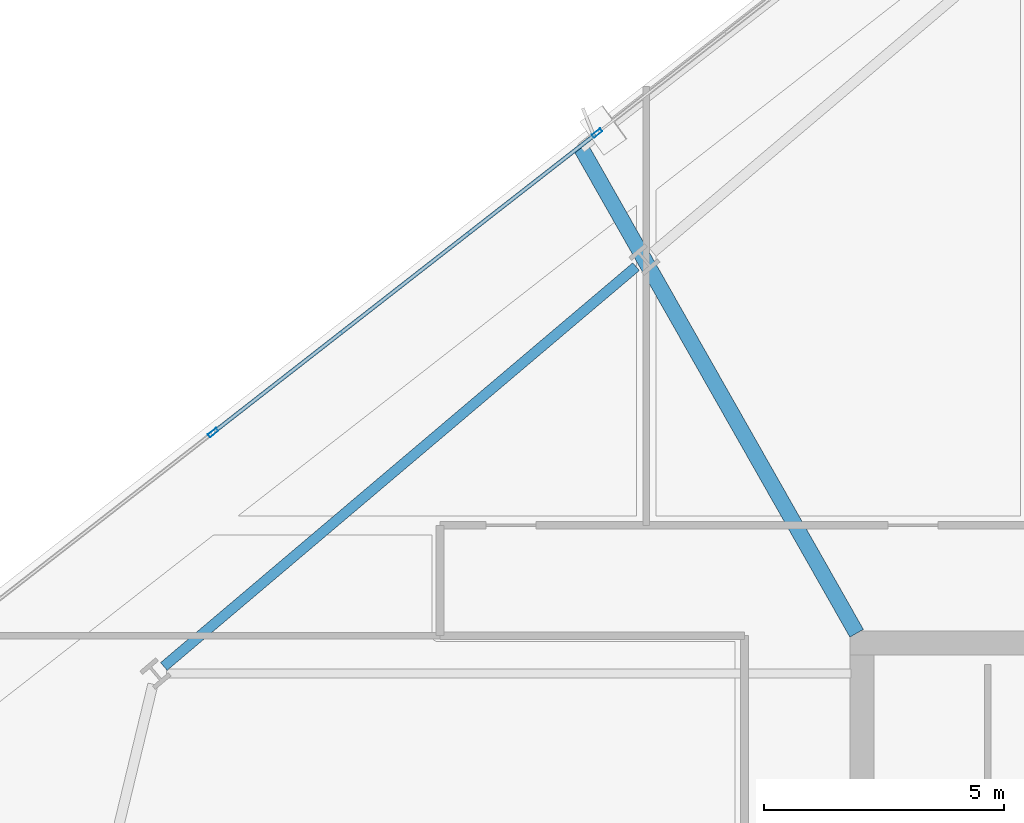
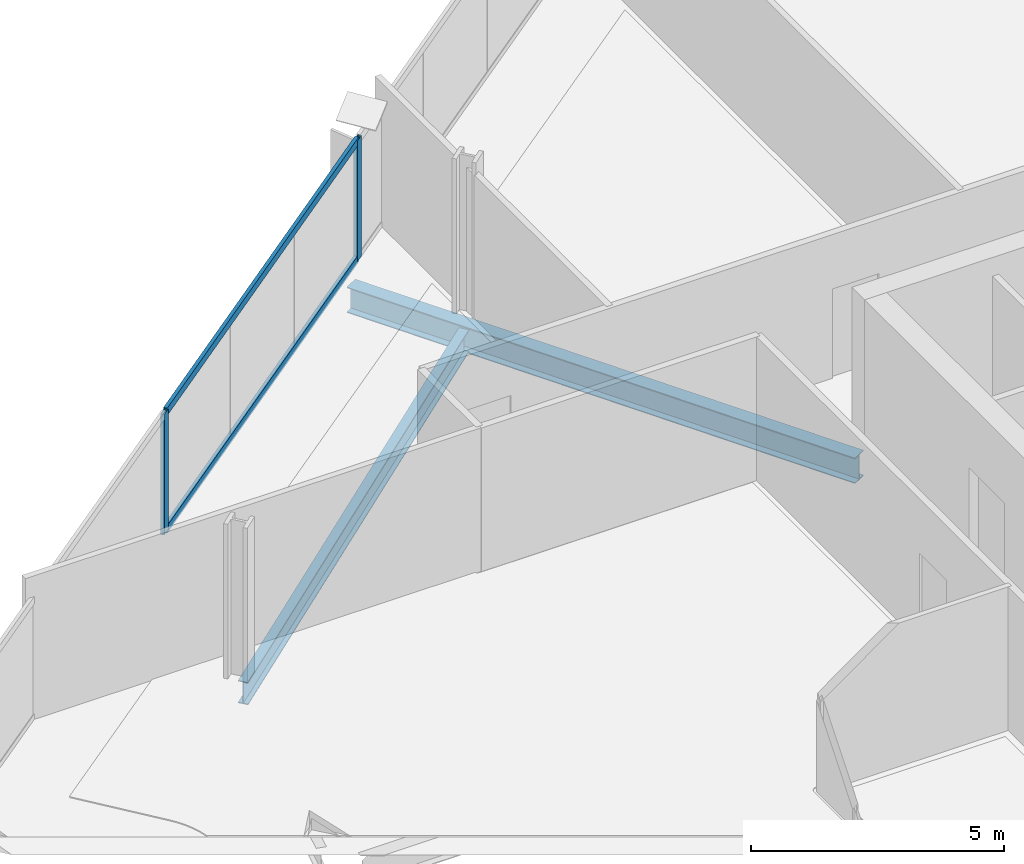
# One storey, part 14 of 32: 4 members, 2 beams, 1 element without a shape of its own.
"""IFC4 building model written with IfcOpenShell, lengths in metres."""

from ifc_helpers import new_model, si_unit, direction, frame, origin, origin_2d, place, context, subcontext, project, spatial, hollow_rectangle, i_section, extrude, material, material_profile, profile_set, type_object, element, aggregate, save


model = new_model("IFC4")

# Units and contexts
model_context = context("Model", 3, precision=1e-05, world=origin(), true_north=direction((0.0, 1.0)))
body_context = subcontext(model_context, "Body", "Model", "MODEL_VIEW")
ifc_project = project(units=[si_unit("LENGTHUNIT", "METRE"), si_unit("AREAUNIT", "SQUARE_METRE"), si_unit("VOLUMEUNIT", "CUBIC_METRE"), si_unit("PLANEANGLEUNIT", "RADIAN"), si_unit("MASSUNIT", "GRAM", prefix="KILO")], contexts=[model_context])

# Site, building, storey
site_placement = place(None, origin())
site = spatial("IfcSite", under=ifc_project, at=site_placement, CompositionType="ELEMENT")
building_placement = place(site_placement, origin())
building = spatial("IfcBuilding", under=site, at=building_placement, Name="Haldenkirk Collegiate Tower", CompositionType="ELEMENT")
storey_placement = place(building_placement, frame((0.0, 0.0, 155.699951171875)))
storey = spatial("IfcBuildingStorey", under=building, at=storey_placement, Name="L38", CompositionType="ELEMENT", Elevation=155.699951171875)

# Beams
ifc_material_1 = material(Name="Steel ASTM A992 Grade 50", Category="steel")
ifc_material_profile_1 = material_profile(ifc_material_1, i_section(OverallWidth=0.324951171875, OverallDepth=0.615966796875, WebThickness=0.013916015625, FlangeThickness=0.021484375, at=origin_2d()), Name="W24X117")
ifc_profile_set_1 = profile_set([ifc_material_profile_1], Name="Steel ASTM A992 Grade 50")
beam_type_1 = type_object("IfcBeamType", Name="BM-GIRDER-W24X117", PredefinedType="BEAM", material=ifc_profile_set_1)
beam_1_placement = place(storey_placement, frame((21.142822265625, 44.316162109375, -0.597900390625), z_axis=(0.493736791842, -0.869611396189, 0.0), x_axis=(0.869611396189, 0.493736791842, 0.0)))
element("IfcBeam", 1, at=beam_1_placement, inside=storey, type_object=beam_type_1, Name="L38 primary floor girder 12", PredefinedType="BEAM", context=body_context, shape_type="SweptSolid", body=[
    extrude(i_section(OverallWidth=0.324951171875, OverallDepth=0.615966796875, WebThickness=0.013916015625, FlangeThickness=0.021484375, at=origin_2d()), origin(), (0.0, 0.0, 1.0), 11.633056640625),
])
ifc_material_profile_2 = material_profile(ifc_material_1, i_section(OverallWidth=0.2119140625, OverallDepth=0.5439453125, WebThickness=0.01318359375, FlangeThickness=0.021240234375, at=origin_2d()), Name="W21X83")
ifc_profile_set_2 = profile_set([ifc_material_profile_2], Name="Steel ASTM A992 Grade 50")
beam_type_2 = type_object("IfcBeamType", Name="BM-SPANDREL-W21X83", PredefinedType="SPANDREL", material=ifc_profile_set_2)
beam_2_placement = place(storey_placement, frame((22.288818359375, 41.841796875, -0.56201171875), z_axis=(-0.76322543275, -0.64613229203, 0.0), x_axis=(0.64613229203, -0.76322543275, 0.0)))
element("IfcBeam", 2, at=beam_2_placement, inside=storey, type_object=beam_type_2, Name="L38 perimeter spandrel beam 11", PredefinedType="SPANDREL", context=body_context, shape_type="SweptSolid", body=[
    extrude(i_section(OverallWidth=0.2119140625, OverallDepth=0.5439453125, WebThickness=0.01318359375, FlangeThickness=0.021240234375, at=origin_2d()), origin(), (0.0, 0.0, 1.0), 12.89794921875),
])

# Curtain wall, members
ifc_material_2 = material(Name="Anodised architectural bronze aluminium", Category="aluminium")
curtain_wall_type = type_object("IfcCurtainWallType", Name="CW-SYS1-CONVEX-LOW", PredefinedType="USERDEFINED", material=ifc_material_2)
curtain_wall_placement = place(storey_placement, origin())
curtain_wall = element("IfcCurtainWall", 3, at=curtain_wall_placement, inside=storey, type_object=curtain_wall_type, Name="L38 Lower tower convex bronze-framed unitised curtain wall", ObjectType="UNITISED CURTAIN WALL", PredefinedType="USERDEFINED")
ifc_material_profile_3 = material_profile(ifc_material_2, hollow_rectangle(XDim=0.080078125, YDim=0.219970703125, WallThickness=0.0048828125, at=origin_2d()), Name="CW-MUL-1A")
ifc_profile_set_3 = profile_set([ifc_material_profile_3], Name="Anodised architectural bronze aluminium")
member_type_1 = type_object("IfcMemberType", Name="CW-MUL-1A", PredefinedType="MULLION", material=ifc_profile_set_3)
member_1_placement = place(storey_placement, frame((13.470458984375, 38.383544921875, 0.0), z_axis=(0.0, 0.0, 1.0), x_axis=(-0.614973604921, 0.788547693707, 0.0)))
member_1 = element("IfcMember", 4, at=member_1_placement, type_object=member_type_1, Name="CW-1A mullion 2", PredefinedType="MULLION", context=body_context, shape_type="SweptSolid", body=[
    extrude(hollow_rectangle(XDim=0.080078125, YDim=0.219970703125, WallThickness=0.0048828125, at=origin_2d()), origin(), (0.0, 0.0, 1.0), 2.9111328125),
])
member_2_placement = place(storey_placement, frame((21.474365234375, 44.62548828125, 0.0), z_axis=(0.0, 0.0, 1.0), x_axis=(-0.614973604921, 0.788547693707, 0.0)))
member_2 = element("IfcMember", 5, at=member_2_placement, type_object=member_type_1, Name="CW-1A mullion 3", PredefinedType="MULLION", context=body_context, shape_type="SweptSolid", body=[
    extrude(hollow_rectangle(XDim=0.080078125, YDim=0.219970703125, WallThickness=0.0048828125, at=origin_2d()), origin(), (0.0, 0.0, 1.0), 2.9111328125),
])
ifc_material_profile_4 = material_profile(ifc_material_2, hollow_rectangle(XDim=0.080078125, YDim=0.179931640625, WallThickness=0.0048828125, at=origin_2d()), Name="CW-TRN-1A")
ifc_profile_set_4 = profile_set([ifc_material_profile_4], Name="Anodised architectural bronze aluminium")
member_type_2 = type_object("IfcMemberType", Name="CW-TRN-1A", PredefinedType="USERDEFINED", material=ifc_profile_set_4)
member_3_placement = place(storey_placement, frame((13.502197265625, 38.408203125, 0.0400390625), z_axis=(0.788555211893, 0.614963964632, 0.0), x_axis=(-0.614963964632, 0.788555211893, 0.0)))
member_3 = element("IfcMember", 6, at=member_3_placement, type_object=member_type_2, Name="CW-1A transom 2.1", ObjectType="TRANSOM", PredefinedType="USERDEFINED", context=body_context, shape_type="SweptSolid", body=[
    extrude(hollow_rectangle(XDim=0.080078125, YDim=0.179931640625, WallThickness=0.0048828125, at=origin_2d()), origin(), (0.0, 0.0, 1.0), 10.06982421875),
])
member_4_placement = place(storey_placement, frame((13.502197265625, 38.408203125, 2.87109375), z_axis=(0.788555211893, 0.614963964632, 0.0), x_axis=(-0.614963964632, 0.788555211893, 0.0)))
member_4 = element("IfcMember", 7, at=member_4_placement, type_object=member_type_2, Name="CW-1A transom 2.2", ObjectType="TRANSOM", PredefinedType="USERDEFINED", context=body_context, shape_type="SweptSolid", body=[
    extrude(hollow_rectangle(XDim=0.080078125, YDim=0.179931640625, WallThickness=0.0048828125, at=origin_2d()), origin(), (0.0, 0.0, 1.0), 10.06982421875),
])
aggregate(curtain_wall, [member_1, member_2, member_3, member_4])

save(model, "model.ifc")
